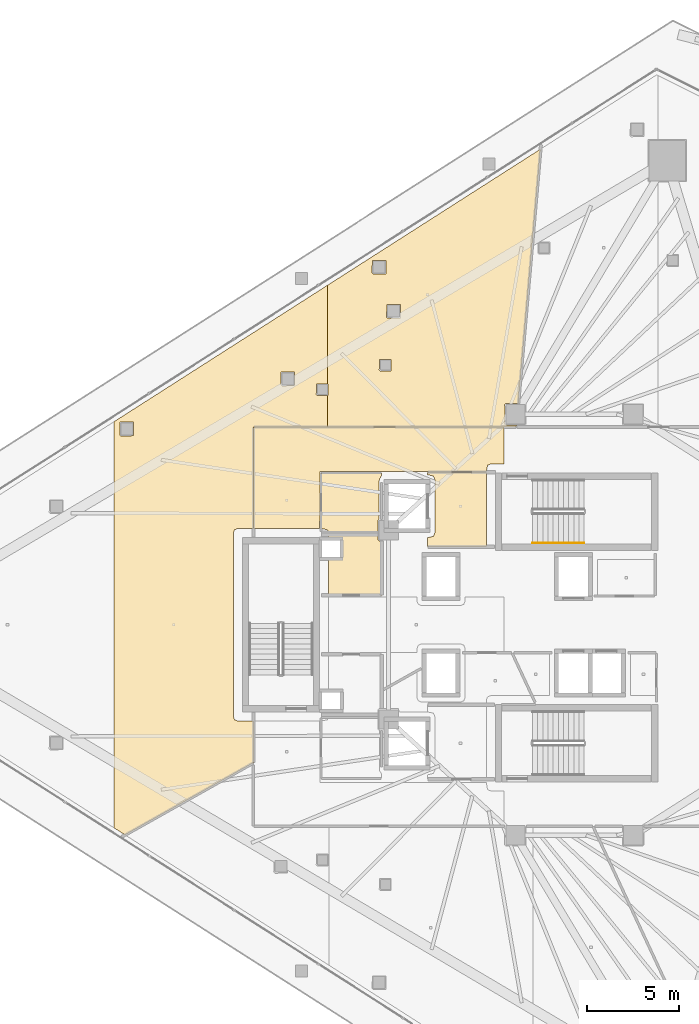
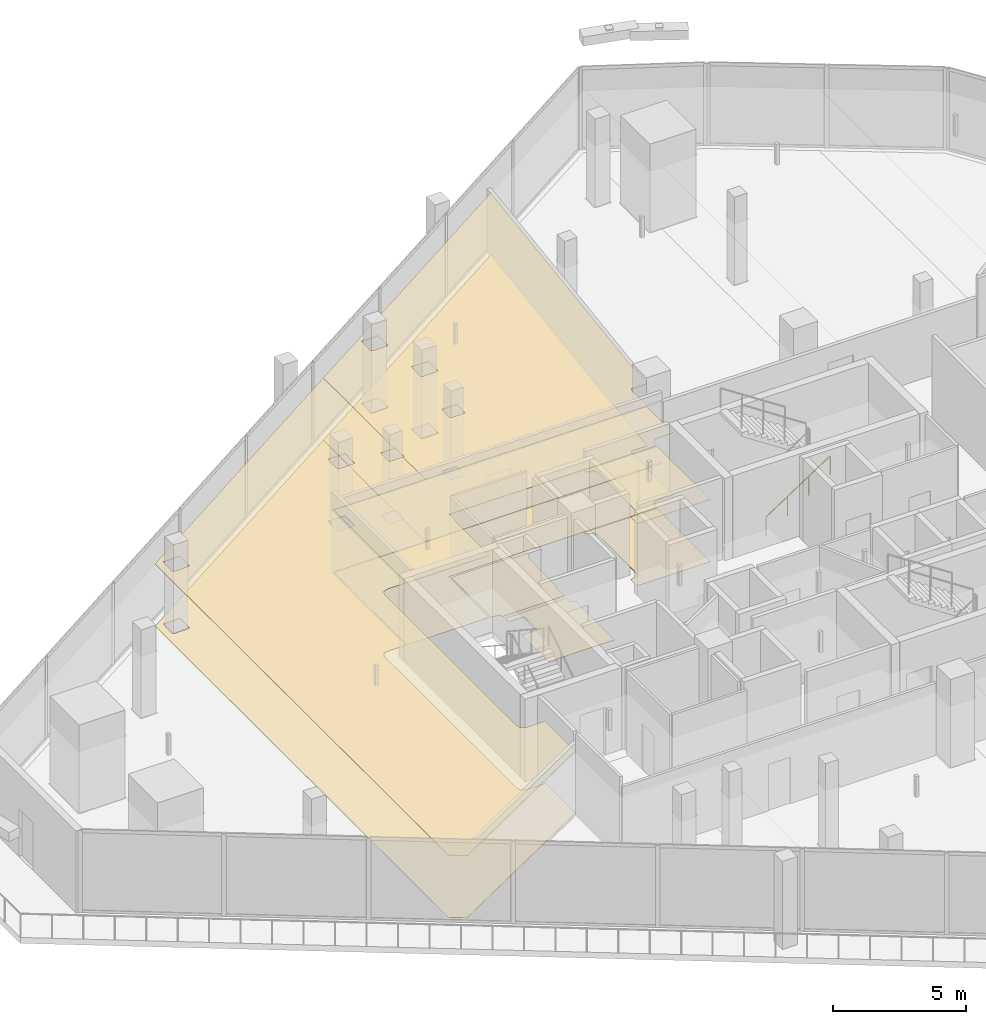
# One storey, part 36 of 38: 10 coverings, 1 railing.
"""IFC4 building model written with IfcOpenShell, lengths in metres."""

from ifc_helpers import new_model, si_unit, direction, frame, origin, origin_2d, place, context, subcontext, project, spatial, polyline, circle, outline, extrude, material, layer, layer_set, type_object, element, save


model = new_model("IFC4")

# Units and contexts
model_context = context("Model", 3, precision=1e-05, world=origin(), true_north=direction((0.0, 1.0)))
body_context = subcontext(model_context, "Body", "Model", "MODEL_VIEW")
ifc_project = project(units=[si_unit("LENGTHUNIT", "METRE"), si_unit("AREAUNIT", "SQUARE_METRE"), si_unit("VOLUMEUNIT", "CUBIC_METRE"), si_unit("PLANEANGLEUNIT", "RADIAN"), si_unit("MASSUNIT", "GRAM", prefix="KILO")], contexts=[model_context])

# Site, building, storey
site_placement = place(None, origin())
site = spatial("IfcSite", under=ifc_project, at=site_placement, CompositionType="ELEMENT")
building_placement = place(site_placement, origin())
building = spatial("IfcBuilding", under=site, at=building_placement, Name="Qorvath Tower", CompositionType="ELEMENT")
storey_placement = place(building_placement, frame((0.0, 0.0, 134.10009765625)))
storey = spatial("IfcBuildingStorey", under=building, at=storey_placement, Name="L30", CompositionType="ELEMENT", Elevation=134.10009765625)

# Coverings
ifc_material_1 = material(Name="Acoustic mineral fibre ceiling tile", Category="gypsum")
ifc_layer_1 = layer(ifc_material_1, 0.030029296875)
ifc_layer_set_1 = layer_set([ifc_layer_1], Name="COV-CEIL")
covering_type_1 = type_object("IfcCoveringType", Name="COV-CEIL", PredefinedType="CEILING", material=ifc_layer_set_1)
covering_1_placement = place(storey_placement, frame((0.0, 0.0, 2.849853515625)))
element("IfcCovering", 1, at=covering_1_placement, inside=storey, type_object=covering_type_1, Name="L30 Suspended Acoustic Ceiling 001", PredefinedType="CEILING", context=body_context, shape_type="SweptSolid", body=[
    extrude(outline(polyline([(-25.18994140625, 4.2548828125), (-25.18994140625, 8.294921875), (-28.375, 8.294921875), (-28.375, 8.159912109375), (-28.063232421875, 8.086669921875), (-27.989990234375, 7.909912109375), (-27.989990234375, 4.989990234375), (-28.063232421875, 4.813232421875), (-28.375, 4.739990234375), (-28.375, 4.2548828125), (-25.18994140625, 4.2548828125)])), origin(), (0.0, 0.0, 1.0), 0.030029296875),
])
covering_2_placement = place(storey_placement, frame((0.0, 0.0, 2.849853515625)))
element("IfcCovering", 2, at=covering_2_placement, inside=storey, type_object=covering_type_1, Name="L30 Suspended Acoustic Ceiling 009", PredefinedType="CEILING", context=body_context, shape_type="SweptSolid", body=[
    extrude(outline(polyline([(-24.220458984375, 8.75), (-24.220458984375, 10.7451171875), (-37.844970703125, 10.7451171875), (-37.844970703125, 5.239990234375), (-34.2509765625, 5.239990234375), (-34.219970703125, 8.324951171875), (-25.18994140625, 8.324951171875), (-25.11669921875, 8.6767578125), (-24.93994140625, 8.75), (-24.220458984375, 8.75)])), origin(), (0.0, 0.0, 1.0), 0.030029296875),
])
covering_3_placement = place(storey_placement, frame((0.0, 0.0, 2.849853515625)))
element("IfcCovering", 3, at=covering_3_placement, inside=storey, type_object=covering_type_1, Name="L30 Suspended Acoustic Ceiling 012", PredefinedType="CEILING", context=body_context, shape_type="SweptSolid", body=[
    extrude(outline(polyline([(-45.434814453125, 11.048095703125), (-45.434814453125, -11.048095703125), (-44.83984375, -11.42822265625), (-37.863037109375, -7.506103515625), (-37.863037109375, -5.239990234375), (-38.699951171875, -5.239990234375), (-38.876708984375, -5.166748046875), (-38.949951171875, -4.989990234375), (-38.949951171875, 4.989990234375), (-38.876708984375, 5.166748046875), (-38.699951171875, 5.239990234375), (-37.863037109375, 5.239990234375), (-37.861572265625, 10.761474609375), (-33.838134765625, 10.761962890625), (-33.838134765625, 12.4736328125), (-34.379150390625, 12.45751953125), (-34.439208984375, 12.517578125), (-34.421630859375, 13.10986328125), (-33.838134765625, 13.10986328125), (-33.838134765625, 18.459716796875), (-45.434814453125, 11.048095703125)]), holes=[polyline([(-36.36572265625, 13.055908203125), (-36.34814453125, 13.748291015625), (-35.61328125, 13.748291015625), (-35.61328125, 13.013427734375), (-36.3056640625, 12.995849609375), (-36.36572265625, 13.055908203125)]), polyline([(-45.121337890625, 10.327392578125), (-45.103759765625, 11.019775390625), (-44.368896484375, 11.019775390625), (-44.368896484375, 10.284912109375), (-45.061279296875, 10.267333984375), (-45.121337890625, 10.327392578125)])]), origin(), (0.0, 0.0, 1.0), 0.030029296875),
])
covering_4_placement = place(storey_placement, frame((0.0, 0.0, 2.849853515625)))
element("IfcCovering", 4, at=covering_4_placement, inside=storey, type_object=covering_type_1, Name="L30 Suspended Acoustic Ceiling 013", PredefinedType="CEILING", context=body_context, shape_type="SweptSolid", body=[
    extrude(outline(polyline([(-33.838134765625, 18.459716796875), (-33.838134765625, 13.10986328125), (-33.786865234375, 13.10986328125), (-33.786865234375, 12.47509765625), (-33.838134765625, 12.4736328125), (-33.838134765625, 10.761962890625), (-23.5634765625, 10.762939453125), (-23.554443359375, 10.864990234375), (-24.16748046875, 10.882568359375), (-24.18505859375, 11.97509765625), (-24.125, 12.034912109375), (-23.4521484375, 12.034912109375), (-22.241455078125, 25.87158203125), (-33.838134765625, 18.459716796875)]), holes=[polyline([(-30.60986328125, 16.734619140625), (-30.59228515625, 17.427001953125), (-29.857421875, 17.427001953125), (-29.857421875, 16.692138671875), (-30.5498046875, 16.674560546875), (-30.60986328125, 16.734619140625)]), polyline([(-31.01220703125, 13.849365234375), (-30.99462890625, 14.441650390625), (-30.35986328125, 14.441650390625), (-30.35986328125, 13.806884765625), (-30.9521484375, 13.789306640625), (-31.01220703125, 13.849365234375)]), polyline([(-31.401123046875, 19.135498046875), (-31.383544921875, 19.827880859375), (-30.648681640625, 19.827880859375), (-30.648681640625, 19.093017578125), (-31.341064453125, 19.075439453125), (-31.401123046875, 19.135498046875)])]), origin(), (0.0, 0.0, 1.0), 0.030029296875),
])
ifc_material_2 = material(Name="Low-VOC modular carpet tile", Category="textile")
ifc_layer_2 = layer(ifc_material_2, 0.014892578125)
ifc_layer_set_2 = layer_set([ifc_layer_2], Name="COV-FLOOR-CPT")
covering_type_2 = type_object("IfcCoveringType", Name="COV-FLOOR-CPT", PredefinedType="FLOORING", material=ifc_layer_set_2)
covering_5_placement = place(storey_placement, origin())
element("IfcCovering", 5, at=covering_5_placement, inside=storey, type_object=covering_type_2, Name="L30 Floor Finish 005", PredefinedType="FLOORING", context=body_context, shape_type="SweptSolid", body=[
    extrude(outline(polyline([(-31.0849609375, 4.89501953125), (-33.760009765625, 4.89501953125), (-33.760009765625, 4.633056640625), (-33.08837890625, 4.631591796875), (-33.0869140625, 3.64208984375), (-33.760009765625, 3.636962890625), (-33.760009765625, 1.60498046875), (-30.885009765625, 1.60498046875), (-30.885009765625, 4.56494140625), (-31.02490234375, 4.56494140625), (-31.0849609375, 4.625), (-31.0849609375, 4.89501953125)])), origin(), (0.0, 0.0, 1.0), 0.014892578125),
])
covering_6_placement = place(storey_placement, origin())
element("IfcCovering", 6, at=covering_6_placement, inside=storey, type_object=covering_type_2, Name="L30 Floor Finish 012", PredefinedType="FLOORING", context=body_context, shape_type="SweptSolid", body=[
    extrude(outline(polyline([(-45.434814453125, 11.048095703125), (-45.434814453125, -11.048095703125), (-44.83984375, -11.42822265625), (-37.863037109375, -7.506103515625), (-37.863037109375, -5.239990234375), (-38.699951171875, -5.239990234375), (-38.876708984375, -5.166748046875), (-38.949951171875, -4.989990234375), (-38.949951171875, 4.989990234375), (-38.876708984375, 5.166748046875), (-38.699951171875, 5.239990234375), (-37.863037109375, 5.239990234375), (-37.861572265625, 10.761474609375), (-33.838134765625, 10.761962890625), (-33.838134765625, 12.4736328125), (-34.379150390625, 12.45751953125), (-34.439208984375, 12.517578125), (-34.421630859375, 13.10986328125), (-33.838134765625, 13.10986328125), (-33.838134765625, 18.459716796875), (-45.434814453125, 11.048095703125)]), holes=[polyline([(-36.36572265625, 13.055908203125), (-36.34814453125, 13.748291015625), (-35.61328125, 13.748291015625), (-35.61328125, 13.013427734375), (-36.3056640625, 12.995849609375), (-36.36572265625, 13.055908203125)]), polyline([(-45.121337890625, 10.327392578125), (-45.103759765625, 11.019775390625), (-44.368896484375, 11.019775390625), (-44.368896484375, 10.284912109375), (-45.061279296875, 10.267333984375), (-45.121337890625, 10.327392578125)])]), origin(), (0.0, 0.0, 1.0), 0.014892578125),
])
covering_7_placement = place(storey_placement, origin())
element("IfcCovering", 7, at=covering_7_placement, inside=storey, type_object=covering_type_2, Name="L30 Floor Finish 013", PredefinedType="FLOORING", context=body_context, shape_type="SweptSolid", body=[
    extrude(outline(polyline([(-33.838134765625, 18.459716796875), (-33.838134765625, 13.10986328125), (-33.786865234375, 13.10986328125), (-33.786865234375, 12.47509765625), (-33.838134765625, 12.4736328125), (-33.838134765625, 10.761962890625), (-23.5634765625, 10.762939453125), (-23.554443359375, 10.864990234375), (-24.16748046875, 10.882568359375), (-24.18505859375, 11.97509765625), (-24.125, 12.034912109375), (-23.4521484375, 12.034912109375), (-22.241455078125, 25.87158203125), (-33.838134765625, 18.459716796875)]), holes=[polyline([(-30.60986328125, 16.734619140625), (-30.59228515625, 17.427001953125), (-29.857421875, 17.427001953125), (-29.857421875, 16.692138671875), (-30.5498046875, 16.674560546875), (-30.60986328125, 16.734619140625)]), polyline([(-31.01220703125, 13.849365234375), (-30.99462890625, 14.441650390625), (-30.35986328125, 14.441650390625), (-30.35986328125, 13.806884765625), (-30.9521484375, 13.789306640625), (-31.01220703125, 13.849365234375)]), polyline([(-31.401123046875, 19.135498046875), (-31.383544921875, 19.827880859375), (-30.648681640625, 19.827880859375), (-30.648681640625, 19.093017578125), (-31.341064453125, 19.075439453125), (-31.401123046875, 19.135498046875)])]), origin(), (0.0, 0.0, 1.0), 0.014892578125),
])
ifc_material_3 = material(Name="Polished epoxy terrazzo flooring", Category="concrete")
ifc_layer_3 = layer(ifc_material_3, 0.02001953125)
ifc_layer_set_3 = layer_set([ifc_layer_3], Name="COV-FLOOR-TRZ")
covering_type_3 = type_object("IfcCoveringType", Name="COV-FLOOR-TRZ", PredefinedType="FLOORING", material=ifc_layer_set_3)
covering_8_placement = place(storey_placement, origin())
element("IfcCovering", 8, at=covering_8_placement, inside=storey, type_object=covering_type_3, Name="L30 Floor Finish 001", PredefinedType="FLOORING", context=body_context, shape_type="SweptSolid", body=[
    extrude(outline(polyline([(-25.18994140625, 4.2548828125), (-25.18994140625, 8.294921875), (-28.375, 8.294921875), (-28.375, 8.159912109375), (-28.063232421875, 8.086669921875), (-27.989990234375, 7.909912109375), (-27.989990234375, 4.989990234375), (-28.063232421875, 4.813232421875), (-28.375, 4.739990234375), (-28.375, 4.2548828125), (-25.18994140625, 4.2548828125)])), origin(), (0.0, 0.0, 1.0), 0.014892578125),
])
covering_9_placement = place(storey_placement, origin())
element("IfcCovering", 9, at=covering_9_placement, inside=storey, type_object=covering_type_3, Name="L30 Floor Finish 004", PredefinedType="FLOORING", context=body_context, shape_type="SweptSolid", body=[
    extrude(outline(polyline([(-31.010009765625, 7.909912109375), (-30.885009765625, 8.108154296875), (-30.885009765625, 8.2451171875), (-34.175048828125, 8.2451171875), (-34.175048828125, 5.239990234375), (-33.833251953125, 5.166748046875), (-33.786865234375, 5.054931640625), (-31.0849609375, 5.054931640625), (-31.0849609375, 5.675048828125), (-31.02490234375, 5.735107421875), (-31.010009765625, 7.909912109375)])), origin(), (0.0, 0.0, 1.0), 0.014892578125),
])
covering_10_placement = place(storey_placement, origin())
element("IfcCovering", 10, at=covering_10_placement, inside=storey, type_object=covering_type_3, Name="L30 Floor Finish 009", PredefinedType="FLOORING", context=body_context, shape_type="SweptSolid", body=[
    extrude(outline(polyline([(-24.220458984375, 8.75), (-24.220458984375, 10.7451171875), (-37.844970703125, 10.7451171875), (-37.844970703125, 5.239990234375), (-34.2509765625, 5.239990234375), (-34.219970703125, 8.324951171875), (-25.18994140625, 8.324951171875), (-25.11669921875, 8.6767578125), (-24.93994140625, 8.75), (-24.220458984375, 8.75)])), origin(), (0.0, 0.0, 1.0), 0.014892578125),
])

# Railing
ifc_material_4 = material(Name="Brushed stainless steel AISI 304", Category="steel")
railing_type = type_object("IfcRailingType", Name="RL-STR-HND", PredefinedType="HANDRAIL", material=ifc_material_4)
railing_placement = place(storey_placement, frame((-22.669921875, 4.449951171875, 0.18408203125)))
element("IfcRailing", 11, at=railing_placement, inside=storey, type_object=railing_type, Name="L30 TS1 stair handrail 1", PredefinedType="HANDRAIL", context=body_context, shape_type="SweptSolid", body=[
    extrude(circle(Radius=0.02392578125, at=origin_2d()), frame((0.0, 0.0, 0.8759765625), z_axis=(0.835575518608, 0.0, 0.549375602573), x_axis=(0.0, 1.0, 0.0)), (0.0, 0.0, 1.0), 3.350830078125),
    extrude(circle(Radius=0.02099609375, at=origin_2d()), origin(), (0.0, 0.0, 1.0), 0.851806640625),
    extrude(circle(Radius=0.02099609375, at=origin_2d()), frame((0.933349609375, 0.0, 0.613525390625)), (0.0, 0.0, 1.0), 0.851806640625),
    extrude(circle(Radius=0.02099609375, at=origin_2d()), frame((1.866455078125, 0.0, 1.227294921875)), (0.0, 0.0, 1.0), 0.851806640625),
    extrude(circle(Radius=0.02099609375, at=origin_2d()), frame((2.7998046875, 0.0, 1.8408203125)), (0.0, 0.0, 1.0), 0.851806640625),
])

save(model, "model.ifc")
